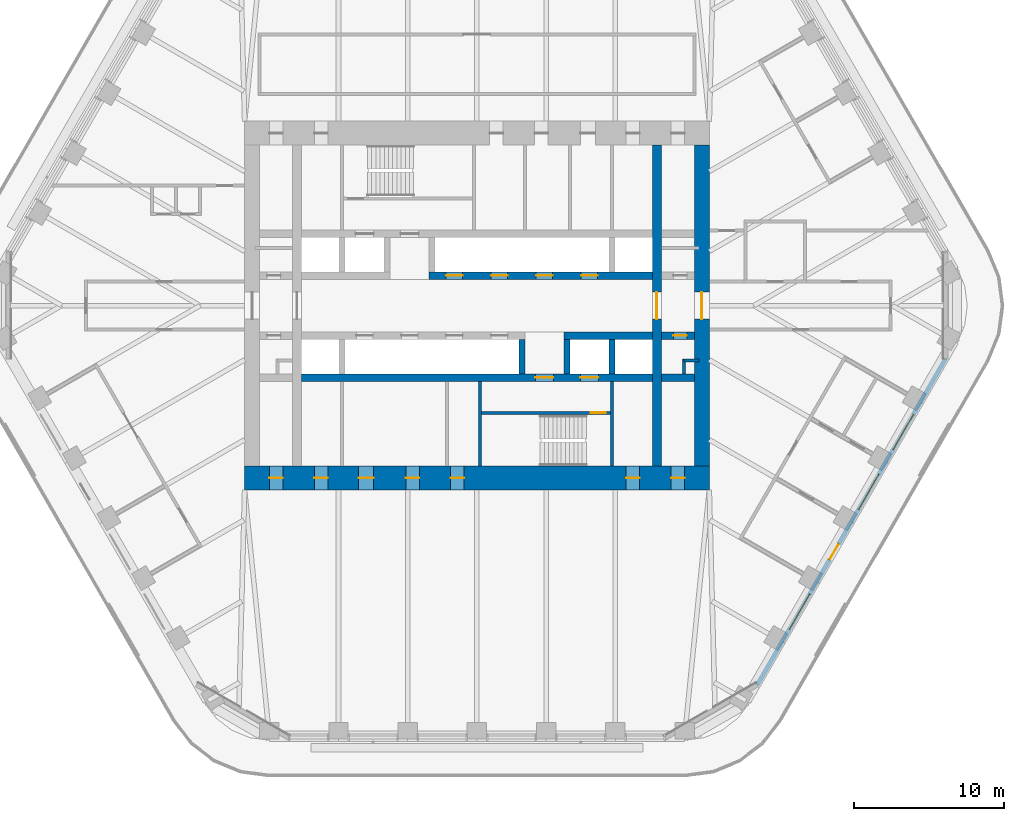
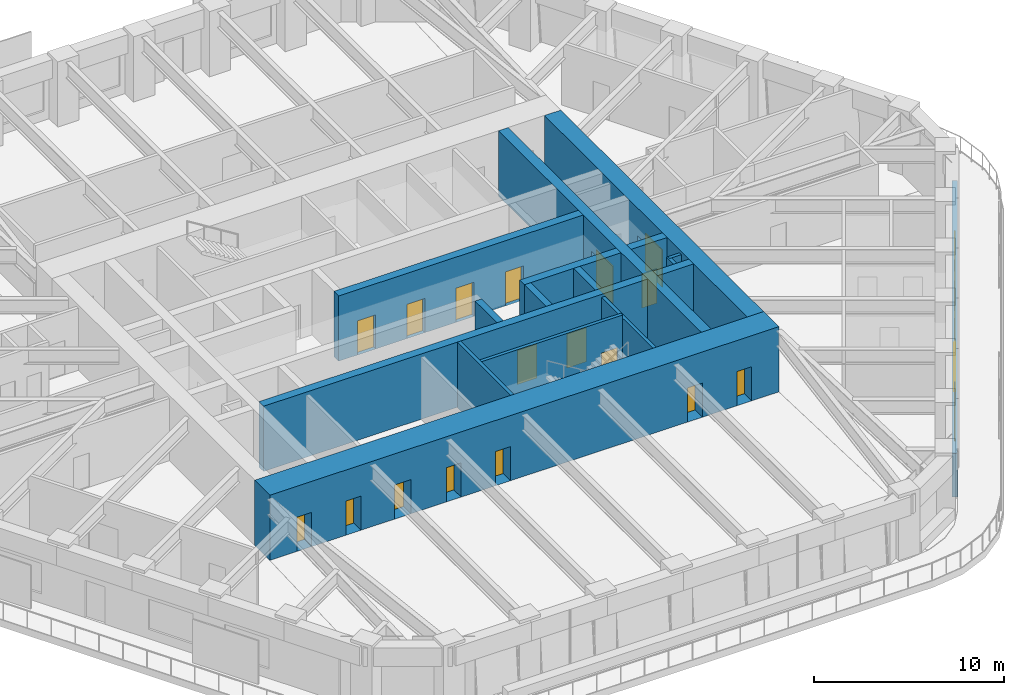
# One storey, part 15 of 20: 18 doors, 17 walls, 3 windows, 21 openings.
"""IFC4 building model written with IfcOpenShell, lengths in metres."""

from ifc_helpers import new_model, si_unit, direction, frame, frame_2d, origin, place, context, subcontext, project, spatial, rectangle, extrude, material, layer, layer_set, type_object, element, fill, save


model = new_model("IFC4")

# Units and contexts
model_context = context("Model", 3, precision=1e-05, world=origin(), true_north=direction((0.0, 1.0)))
body_context = subcontext(model_context, "Body", "Model", "MODEL_VIEW")
ifc_project = project(units=[si_unit("LENGTHUNIT", "METRE"), si_unit("AREAUNIT", "SQUARE_METRE"), si_unit("VOLUMEUNIT", "CUBIC_METRE"), si_unit("PLANEANGLEUNIT", "RADIAN"), si_unit("MASSUNIT", "GRAM", prefix="KILO")], contexts=[model_context])

# Site, building, storey
site_placement = place(None, origin())
site = spatial("IfcSite", under=ifc_project, at=site_placement, CompositionType="ELEMENT")
building_placement = place(site_placement, origin())
building = spatial("IfcBuilding", under=site, at=building_placement, Name="Tarfa Lantern Tower", CompositionType="ELEMENT")
storey_placement = place(building_placement, frame((0.0, 0.0, 244.89990234375)))
storey = spatial("IfcBuildingStorey", under=building, at=storey_placement, Name="L55", CompositionType="ELEMENT", Elevation=244.89990234375)

# Wall, openings, door, windows
ifc_material_1 = material(Name="Limestone cladding on blockwork", Category="masonry")
ifc_layer_1 = layer(ifc_material_1, 0.300048828125)
ifc_layer_set_1 = layer_set([ifc_layer_1], Name="EW1 STONE-CLAD WALL 300")
wall_type_1 = type_object("IfcWallType", Name="EW1 STONE-CLAD WALL 300", PredefinedType="SOLIDWALL", material=ifc_layer_set_1)
wall_1_placement = place(storey_placement, frame((18.70654296875, -25.299072265625, 0.0), z_axis=(0.0, 0.0, 1.0), x_axis=(0.500000442367, 0.866025148383, 0.0)))
wall_1 = element("IfcWall", 1, at=wall_1_placement, inside=storey, type_object=wall_type_1, Name="Stone wall SE", PredefinedType="SOLIDWALL", context=body_context, shape_type="SweptSolid", body=[
    extrude(rectangle(XDim=25.11279296875, YDim=0.300048828125, at=frame_2d((12.556396484375, 0.0))), origin(), (0.0, 0.0, 1.0), 2.800048828125),
])
opening_1_placement = place(wall_1_placement, frame((4.2783203125, 0.0, 0.60009765625)))
opening_1 = element("IfcOpeningElement", 2, at=opening_1_placement, cuts=wall_1, Name="Opening W14", PredefinedType="OPENING", context=body_context, shape_type="SweptSolid", body=[
    extrude(rectangle(XDim=2.699951171875, YDim=1.949951171875, at=frame_2d((1.35009765625, 0.97509765625))), frame((0.0, 0.159912109375, 0.0), z_axis=(0.0, -1.0, 0.0), x_axis=(1.0, 0.0, 0.0)), (0.0, 0.0, 1.0), 0.320068359375),
])
opening_2_placement = place(wall_1_placement, frame((9.64697265625, 0.0, 0.0)))
opening_2 = element("IfcOpeningElement", 3, at=opening_2_placement, cuts=wall_1, Name="Opening D48", PredefinedType="OPENING", context=body_context, shape_type="SweptSolid", body=[
    extrude(rectangle(XDim=1.199951171875, YDim=2.39990234375, at=frame_2d((0.60009765625, 1.199951171875))), frame((0.0, 0.159912109375, 0.0), z_axis=(0.0, -1.0, 0.0), x_axis=(1.0, 0.0, 0.0)), (0.0, 0.0, 1.0), 0.320068359375),
])
opening_3_placement = place(wall_1_placement, frame((13.515869140625, 0.0, 0.60009765625)))
opening_3 = element("IfcOpeningElement", 4, at=opening_3_placement, cuts=wall_1, Name="Opening W14", PredefinedType="OPENING", context=body_context, shape_type="SweptSolid", body=[
    extrude(rectangle(XDim=2.699951171875, YDim=1.949951171875, at=frame_2d((1.35009765625, 0.97509765625))), frame((0.0, 0.159912109375, 0.0), z_axis=(0.0, -1.0, 0.0), x_axis=(1.0, 0.0, 0.0)), (0.0, 0.0, 1.0), 0.320068359375),
])
opening_4_placement = place(wall_1_placement, frame((18.134521484375, 0.0, 0.60009765625)))
opening_4 = element("IfcOpeningElement", 5, at=opening_4_placement, cuts=wall_1, Name="Opening W14", PredefinedType="OPENING", context=body_context, shape_type="SweptSolid", body=[
    extrude(rectangle(XDim=2.699951171875, YDim=1.949951171875, at=frame_2d((1.35009765625, 0.97509765625))), frame((0.0, 0.159912109375, 0.0), z_axis=(0.0, -1.0, 0.0), x_axis=(1.0, 0.0, 0.0)), (0.0, 0.0, 1.0), 0.320068359375),
])
ifc_material_2 = material(Name="Aluminium framed glazed door", Category="aluminium")
door_type_1 = type_object("IfcDoorType", Name="BE3 BALCONY DOOR 1200x2400", OperationType="SINGLE_SWING_RIGHT", PredefinedType="DOOR", material=ifc_material_2)
door_1_placement = place(opening_2_placement, origin())
door_1 = element("IfcDoor", 6, at=door_1_placement, inside=storey, type_object=door_type_1, Name="Balcony door SE", OperationType="SINGLE_SWING_RIGHT", OverallHeight=2.39990234375, OverallWidth=1.199951171875, PredefinedType="DOOR", context=body_context, shape_type="SweptSolid", body=[
    extrude(rectangle(XDim=1.199951171875, YDim=2.39990234375, at=frame_2d((0.60009765625, 1.199951171875))), frame((0.0, 0.02490234375, 0.0), z_axis=(0.0, -1.0, 0.0), x_axis=(1.0, 0.0, 0.0)), (0.0, 0.0, 1.0), 0.050048828125),
])
fill(opening_2, door_1)
ifc_material_3 = material(Name="Aluminium frame, double glazed", Category="aluminium")
window_type = type_object("IfcWindowType", Name="W14 FULL-HEIGHT GLAZING 2700x1950", PartitioningType="SINGLE_PANEL", PredefinedType="WINDOW", material=ifc_material_3)
window_1_placement = place(opening_1_placement, origin())
window_1 = element("IfcWindow", 7, at=window_1_placement, inside=storey, type_object=window_type, Name="Window SE 2", OverallHeight=1.949951171875, OverallWidth=2.699951171875, PartitioningType="SINGLE_PANEL", PredefinedType="WINDOW", context=body_context, shape_type="SweptSolid", body=[
    extrude(rectangle(XDim=2.699951171875, YDim=1.949951171875, at=frame_2d((1.35009765625, 0.97509765625))), frame((0.0, 0.030029296875, 0.0), z_axis=(0.0, -1.0, 0.0), x_axis=(1.0, 0.0, 0.0)), (0.0, 0.0, 1.0), 0.06005859375),
])
fill(opening_1, window_1)
window_2_placement = place(opening_3_placement, origin())
window_2 = element("IfcWindow", 8, at=window_2_placement, inside=storey, type_object=window_type, Name="Window SE 4", OverallHeight=1.949951171875, OverallWidth=2.699951171875, PartitioningType="SINGLE_PANEL", PredefinedType="WINDOW", context=body_context, shape_type="SweptSolid", body=[
    extrude(rectangle(XDim=2.699951171875, YDim=1.949951171875, at=frame_2d((1.35009765625, 0.97509765625))), frame((0.0, 0.030029296875, 0.0), z_axis=(0.0, -1.0, 0.0), x_axis=(1.0, 0.0, 0.0)), (0.0, 0.0, 1.0), 0.06005859375),
])
fill(opening_3, window_2)
window_3_placement = place(opening_4_placement, origin())
window_3 = element("IfcWindow", 9, at=window_3_placement, inside=storey, type_object=window_type, Name="Window SE 5", OverallHeight=1.949951171875, OverallWidth=2.699951171875, PartitioningType="SINGLE_PANEL", PredefinedType="WINDOW", context=body_context, shape_type="SweptSolid", body=[
    extrude(rectangle(XDim=2.699951171875, YDim=1.949951171875, at=frame_2d((1.35009765625, 0.97509765625))), frame((0.0, 0.030029296875, 0.0), z_axis=(0.0, -1.0, 0.0), x_axis=(1.0, 0.0, 0.0)), (0.0, 0.0, 1.0), 0.06005859375),
])
fill(opening_4, window_3)

# Walls
ifc_material_4 = material(Name="Concrete blockwork", Category="masonry")
ifc_layer_2 = layer(ifc_material_4, 0.199951171875)
ifc_layer_set_2 = layer_set([ifc_layer_2], Name="IW1 BLOCKWORK PARTITION 200 EI 120")
wall_type_2 = type_object("IfcWallType", Name="IW1 BLOCKWORK PARTITION 200 EI 120", PredefinedType="PARTITIONING", material=ifc_layer_set_2)
wall_2_placement = place(storey_placement, frame((9.0, -5.050048828125, 0.0), z_axis=(0.0, 0.0, 1.0), x_axis=(0.0, -1.0, 0.0)))
element("IfcWall", 10, at=wall_2_placement, inside=storey, type_object=wall_type_2, Name="Core partition", PredefinedType="PARTITIONING", context=body_context, shape_type="SweptSolid", body=[
    extrude(rectangle(XDim=5.64990234375, YDim=0.199951171875, at=frame_2d((2.824951171875, 0.0))), origin(), (0.0, 0.0, 1.0), 4.0),
])
for number, where, z_axis, x_axis, name in (
    (11, (14.800048828125, -3.64990234375, 0.0), (0.0, 0.0, 1.0), (-1.0, 0.0, 0.0), "Core partition"),
    (12, (13.800048828125, -3.550048828125, 0.0), (0.0, 0.0, 1.0), (0.0, -1.0, 0.0), "Core partition"),
):
    element("IfcWall", number, at=place(storey_placement, frame(where, z_axis=z_axis, x_axis=x_axis)), inside=storey, type_object=wall_type_2, Name=name, PredefinedType="PARTITIONING", context=body_context, shape_type="SweptSolid", body=[
        extrude(rectangle(XDim=1.0, YDim=0.199951171875, at=frame_2d((0.5, 0.0))), origin(), (0.0, 0.0, 1.0), 4.0),
    ])
ifc_material_5 = material(Name="Concrete C80/95", Category="concrete")
ifc_layer_3 = layer(ifc_material_5, 0.199951171875)
ifc_layer_set_3 = layer_set([ifc_layer_3], Name="SW12 CORE WALL 200")
wall_type_3 = type_object("IfcWallType", Name="SW12 CORE WALL 200", PredefinedType="SHEAR", material=ifc_layer_set_3)
wall_3_placement = place(storey_placement, frame((0.199951171875, -5.050048828125, 0.0), z_axis=(0.0, 0.0, 1.0), x_axis=(0.0, -1.0, 0.0)))
element("IfcWall", 13, at=wall_3_placement, inside=storey, type_object=wall_type_3, Name="Core wall stair shaft S", PredefinedType="SHEAR", context=body_context, shape_type="SweptSolid", body=[
    extrude(rectangle(XDim=5.64990234375, YDim=0.199951171875, at=frame_2d((2.824951171875, 0.0))), origin(), (0.0, 0.0, 1.0), 4.2001953125),
])

# Wall, opening, door
wall_4_placement = place(storey_placement, frame((8.89990234375, -7.14990234375, 0.0), z_axis=(0.0, 0.0, 1.0), x_axis=(-1.0, 0.0, 0.0)))
wall_4 = element("IfcWall", 14, at=wall_4_placement, inside=storey, type_object=wall_type_3, Name="Core wall stair partition S", PredefinedType="SHEAR", context=body_context, shape_type="SweptSolid", body=[
    extrude(rectangle(XDim=8.599853515625, YDim=0.199951171875, at=frame_2d((4.2998046875, 0.0))), origin(), (0.0, 0.0, 1.0), 4.2001953125),
])
opening_5_placement = place(wall_4_placement, frame((0.300048828125, 0.0, 0.0)))
opening_5 = element("IfcOpeningElement", 15, at=opening_5_placement, cuts=wall_4, Name="Opening D24", PredefinedType="OPENING", context=body_context, shape_type="SweptSolid", body=[
    extrude(rectangle(XDim=1.0, YDim=2.199951171875, at=frame_2d((0.5, 1.10009765625))), frame((0.0, 0.10986328125, 0.0), z_axis=(0.0, -1.0, 0.0), x_axis=(1.0, 0.0, 0.0)), (0.0, 0.0, 1.0), 0.219970703125),
])
ifc_material_6 = material(Name="Steel fire door", Category="steel")
door_type_2 = type_object("IfcDoorType", Name="DF2 STAIR DOOR 1000x2200", OperationType="SINGLE_SWING_LEFT", PredefinedType="DOOR", material=ifc_material_6)
door_2_placement = place(opening_5_placement, origin())
door_2 = element("IfcDoor", 16, at=door_2_placement, inside=storey, type_object=door_type_2, Name="Stair door", OperationType="SINGLE_SWING_RIGHT", OverallHeight=2.199951171875, OverallWidth=1.0, PredefinedType="DOOR", context=body_context, shape_type="SweptSolid", body=[
    extrude(rectangle(XDim=1.0, YDim=2.199951171875, at=frame_2d((0.5, 1.10009765625))), frame((0.0, 0.02490234375, 0.0), z_axis=(0.0, -1.0, 0.0), x_axis=(1.0, 0.0, 0.0)), (0.0, 0.0, 1.0), 0.050048828125),
])
fill(opening_5, door_2)

ifc_layer_4 = layer(ifc_material_5, 1.0)
ifc_layer_set_4 = layer_set([ifc_layer_4], Name="SW2 CORE WALL 1000")
wall_type_4 = type_object("IfcWallType", Name="SW2 CORE WALL 1000", PredefinedType="SHEAR", material=ifc_layer_set_4)
wall_5_placement = place(storey_placement, frame((15.0, -10.699951171875, 0.0), z_axis=(0.0, 0.0, 1.0), x_axis=(0.0, 1.0, 0.0)))
wall_5 = element("IfcWall", 17, at=wall_5_placement, inside=storey, type_object=wall_type_4, Name="Core wall E", PredefinedType="SHEAR", context=body_context, shape_type="SweptSolid", body=[
    extrude(rectangle(XDim=21.39990234375, YDim=1.0, at=frame_2d((10.699951171875, 0.0))), origin(), (0.0, 0.0, 1.0), 4.2001953125),
])
opening_6_placement = place(wall_5_placement, frame((9.800048828125, 0.0, 0.0)))
opening_6 = element("IfcOpeningElement", 18, at=opening_6_placement, cuts=wall_5, Name="Opening D11", PredefinedType="OPENING", context=body_context, shape_type="SweptSolid", body=[
    extrude(rectangle(XDim=1.800048828125, YDim=2.39990234375, at=frame_2d((0.89990234375, 1.199951171875))), frame((0.0, 0.510009765625, 0.0), z_axis=(0.0, -1.0, 0.0), x_axis=(1.0, 0.0, 0.0)), (0.0, 0.0, 1.0), 1.02001953125),
])
door_type_3 = type_object("IfcDoorType", Name="DL1 LOBBY DOOR 1800x2400", OperationType="DOUBLE_DOOR_SINGLE_SWING", PredefinedType="DOOR", material=ifc_material_6)
door_3_placement = place(opening_6_placement, frame((1.800048828125, 0.0, 0.0), z_axis=(0.0, 0.0, 1.0), x_axis=(-1.0, 0.0, 0.0)))
door_3 = element("IfcDoor", 19, at=door_3_placement, inside=storey, type_object=door_type_3, Name="Lift lobby door", OperationType="DOUBLE_DOOR_SINGLE_SWING", OverallHeight=2.39990234375, OverallWidth=1.800048828125, PredefinedType="DOOR", context=body_context, shape_type="SweptSolid", body=[
    extrude(rectangle(XDim=1.800048828125, YDim=2.39990234375, at=frame_2d((0.89990234375, 1.199951171875))), frame((0.0, 0.02490234375, 0.0), z_axis=(0.0, -1.0, 0.0), x_axis=(1.0, 0.0, 0.0)), (0.0, 0.0, 1.0), 0.050048828125),
])
fill(opening_6, door_3)

# Wall, openings, doors
ifc_layer_5 = layer(ifc_material_5, 0.5)
ifc_layer_set_5 = layer_set([ifc_layer_5], Name="SW5 CORE WALL 500")
wall_type_5 = type_object("IfcWallType", Name="SW5 CORE WALL 500", PredefinedType="SHEAR", material=ifc_layer_set_5)
wall_6_placement = place(storey_placement, frame((-3.199951171875, 2.0, 0.0), z_axis=(0.0, 0.0, 1.0), x_axis=(1.0, 0.0, 0.0)))
wall_6 = element("IfcWall", 20, at=wall_6_placement, inside=storey, type_object=wall_type_5, Name="Core wall lobby east N", PredefinedType="SHEAR", context=body_context, shape_type="SweptSolid", body=[
    extrude(rectangle(XDim=14.89990234375, YDim=0.5, at=frame_2d((7.449951171875, 0.0))), origin(), (0.0, 0.0, 1.0), 4.2001953125),
])
opening_7_placement = place(wall_6_placement, frame((1.14990234375, 0.0, 0.0)))
opening_7 = element("IfcOpeningElement", 21, at=opening_7_placement, cuts=wall_6, Name="Opening LD03", PredefinedType="OPENING", context=body_context, shape_type="SweptSolid", body=[
    extrude(rectangle(XDim=1.10009765625, YDim=2.199951171875, at=frame_2d((0.550048828125, 1.10009765625))), frame((0.0, 0.260009765625, 0.0), z_axis=(0.0, -1.0, 0.0), x_axis=(1.0, 0.0, 0.0)), (0.0, 0.0, 1.0), 0.52001953125),
])
opening_8_placement = place(wall_6_placement, frame((4.14990234375, 0.0, 0.0)))
opening_8 = element("IfcOpeningElement", 22, at=opening_8_placement, cuts=wall_6, Name="Opening LD04", PredefinedType="OPENING", context=body_context, shape_type="SweptSolid", body=[
    extrude(rectangle(XDim=1.10009765625, YDim=2.199951171875, at=frame_2d((0.550048828125, 1.10009765625))), frame((0.0, 0.260009765625, 0.0), z_axis=(0.0, -1.0, 0.0), x_axis=(1.0, 0.0, 0.0)), (0.0, 0.0, 1.0), 0.52001953125),
])
opening_9_placement = place(wall_6_placement, frame((7.14990234375, 0.0, 0.0)))
opening_9 = element("IfcOpeningElement", 23, at=opening_9_placement, cuts=wall_6, Name="Opening LD05", PredefinedType="OPENING", context=body_context, shape_type="SweptSolid", body=[
    extrude(rectangle(XDim=1.10009765625, YDim=2.199951171875, at=frame_2d((0.550048828125, 1.10009765625))), frame((0.0, 0.260009765625, 0.0), z_axis=(0.0, -1.0, 0.0), x_axis=(1.0, 0.0, 0.0)), (0.0, 0.0, 1.0), 0.52001953125),
])
opening_10_placement = place(wall_6_placement, frame((10.14990234375, 0.0, 0.0)))
opening_10 = element("IfcOpeningElement", 24, at=opening_10_placement, cuts=wall_6, Name="Opening LD06", PredefinedType="OPENING", context=body_context, shape_type="SweptSolid", body=[
    extrude(rectangle(XDim=1.10009765625, YDim=2.199951171875, at=frame_2d((0.550048828125, 1.10009765625))), frame((0.0, 0.260009765625, 0.0), z_axis=(0.0, -1.0, 0.0), x_axis=(1.0, 0.0, 0.0)), (0.0, 0.0, 1.0), 0.52001953125),
])
ifc_material_7 = material(Name="Stainless steel lift door", Category="steel")
door_type_4 = type_object("IfcDoorType", Name="LD2 LIFT LANDING DOOR 1100x2200", OperationType="SLIDING_TO_LEFT", PredefinedType="DOOR", material=ifc_material_7)
door_4_placement = place(opening_7_placement, frame((1.10009765625, 0.0, 0.0), z_axis=(0.0, 0.0, 1.0), x_axis=(-1.0, 0.0, 0.0)))
door_4 = element("IfcDoor", 25, at=door_4_placement, inside=storey, type_object=door_type_4, Name="Landing door PC1", OperationType="SLIDING_TO_LEFT", OverallHeight=2.199951171875, OverallWidth=1.10009765625, PredefinedType="DOOR", context=body_context, shape_type="SweptSolid", body=[
    extrude(rectangle(XDim=1.10009765625, YDim=2.199951171875, at=frame_2d((0.550048828125, 1.10009765625))), frame((0.0, 0.02490234375, 0.0), z_axis=(0.0, -1.0, 0.0), x_axis=(1.0, 0.0, 0.0)), (0.0, 0.0, 1.0), 0.050048828125),
])
fill(opening_7, door_4)
door_5_placement = place(opening_8_placement, frame((1.10009765625, 0.0, 0.0), z_axis=(0.0, 0.0, 1.0), x_axis=(-1.0, 0.0, 0.0)))
door_5 = element("IfcDoor", 26, at=door_5_placement, inside=storey, type_object=door_type_4, Name="Landing door PC2", OperationType="SLIDING_TO_LEFT", OverallHeight=2.199951171875, OverallWidth=1.10009765625, PredefinedType="DOOR", context=body_context, shape_type="SweptSolid", body=[
    extrude(rectangle(XDim=1.10009765625, YDim=2.199951171875, at=frame_2d((0.550048828125, 1.10009765625))), frame((0.0, 0.02490234375, 0.0), z_axis=(0.0, -1.0, 0.0), x_axis=(1.0, 0.0, 0.0)), (0.0, 0.0, 1.0), 0.050048828125),
])
fill(opening_8, door_5)
door_6_placement = place(opening_9_placement, frame((1.10009765625, 0.0, 0.0), z_axis=(0.0, 0.0, 1.0), x_axis=(-1.0, 0.0, 0.0)))
door_6 = element("IfcDoor", 27, at=door_6_placement, inside=storey, type_object=door_type_4, Name="Landing door PC3", OperationType="SLIDING_TO_LEFT", OverallHeight=2.199951171875, OverallWidth=1.10009765625, PredefinedType="DOOR", context=body_context, shape_type="SweptSolid", body=[
    extrude(rectangle(XDim=1.10009765625, YDim=2.199951171875, at=frame_2d((0.550048828125, 1.10009765625))), frame((0.0, 0.02490234375, 0.0), z_axis=(0.0, -1.0, 0.0), x_axis=(1.0, 0.0, 0.0)), (0.0, 0.0, 1.0), 0.050048828125),
])
fill(opening_9, door_6)
door_7_placement = place(opening_10_placement, frame((1.10009765625, 0.0, 0.0), z_axis=(0.0, 0.0, 1.0), x_axis=(-1.0, 0.0, 0.0)))
door_7 = element("IfcDoor", 28, at=door_7_placement, inside=storey, type_object=door_type_4, Name="Landing door PC4", OperationType="SLIDING_TO_LEFT", OverallHeight=2.199951171875, OverallWidth=1.10009765625, PredefinedType="DOOR", context=body_context, shape_type="SweptSolid", body=[
    extrude(rectangle(XDim=1.10009765625, YDim=2.199951171875, at=frame_2d((0.550048828125, 1.10009765625))), frame((0.0, 0.02490234375, 0.0), z_axis=(0.0, -1.0, 0.0), x_axis=(1.0, 0.0, 0.0)), (0.0, 0.0, 1.0), 0.050048828125),
])
fill(opening_10, door_7)

# Wall, opening, door
wall_7_placement = place(storey_placement, frame((14.5, -2.0, 0.0), z_axis=(0.0, 0.0, 1.0), x_axis=(-1.0, 0.0, 0.0)))
wall_7 = element("IfcWall", 29, at=wall_7_placement, inside=storey, type_object=wall_type_5, Name="Core wall lobby west S", PredefinedType="SHEAR", context=body_context, shape_type="SweptSolid", body=[
    extrude(rectangle(XDim=2.199951171875, YDim=0.5, at=frame_2d((1.10009765625, 0.0))), origin(), (0.0, 0.0, 1.0), 4.2001953125),
])
opening_11_placement = place(wall_7_placement, frame((0.5, 0.0, 0.0)))
opening_11 = element("IfcOpeningElement", 30, at=opening_11_placement, cuts=wall_7, Name="Opening D16", PredefinedType="OPENING", context=body_context, shape_type="SweptSolid", body=[
    extrude(rectangle(XDim=0.89990234375, YDim=2.199951171875, at=frame_2d((0.449951171875, 1.10009765625))), frame((0.0, 0.260009765625, 0.0), z_axis=(0.0, -1.0, 0.0), x_axis=(1.0, 0.0, 0.0)), (0.0, 0.0, 1.0), 0.52001953125),
])
door_type_5 = type_object("IfcDoorType", Name="DF6 SERVICE ROOM DOOR 900x2200", OperationType="SINGLE_SWING_LEFT", PredefinedType="DOOR", material=ifc_material_6)
door_8_placement = place(opening_11_placement, origin())
door_8 = element("IfcDoor", 31, at=door_8_placement, inside=storey, type_object=door_type_5, Name="Service room door", OperationType="SINGLE_SWING_RIGHT", OverallHeight=2.199951171875, OverallWidth=0.89990234375, PredefinedType="DOOR", context=body_context, shape_type="SweptSolid", body=[
    extrude(rectangle(XDim=0.89990234375, YDim=2.199951171875, at=frame_2d((0.449951171875, 1.10009765625))), frame((0.0, 0.02490234375, 0.0), z_axis=(0.0, -1.0, 0.0), x_axis=(1.0, 0.0, 0.0)), (0.0, 0.0, 1.0), 0.050048828125),
])
fill(opening_11, door_8)

# Walls
wall_8_placement = place(storey_placement, frame((11.699951171875, -2.0, 0.0), z_axis=(0.0, 0.0, 1.0), x_axis=(-1.0, 0.0, 0.0)))
element("IfcWall", 32, at=wall_8_placement, inside=storey, type_object=wall_type_5, Name="Core wall lobby west S", PredefinedType="SHEAR", context=body_context, shape_type="SweptSolid", body=[
    extrude(rectangle(XDim=5.89990234375, YDim=0.5, at=frame_2d((2.949951171875, 0.0))), origin(), (0.0, 0.0, 1.0), 4.2001953125),
])
wall_9_placement = place(storey_placement, frame((14.5, -4.800048828125, 0.0), z_axis=(0.0, 0.0, 1.0), x_axis=(-1.0, 0.0, 0.0)))
element("IfcWall", 33, at=wall_9_placement, inside=storey, type_object=wall_type_5, Name="Core wall rear S", PredefinedType="SHEAR", context=body_context, shape_type="SweptSolid", body=[
    extrude(rectangle(XDim=2.199951171875, YDim=0.5, at=frame_2d((1.10009765625, 0.0))), origin(), (0.0, 0.0, 1.0), 4.2001953125),
])

# Wall, openings, doors
wall_10_placement = place(storey_placement, frame((11.699951171875, -4.800048828125, 0.0), z_axis=(0.0, 0.0, 1.0), x_axis=(-1.0, 0.0, 0.0)))
wall_10 = element("IfcWall", 34, at=wall_10_placement, inside=storey, type_object=wall_type_5, Name="Core wall rear S", PredefinedType="SHEAR", context=body_context, shape_type="SweptSolid", body=[
    extrude(rectangle(XDim=23.39990234375, YDim=0.5, at=frame_2d((11.699951171875, 0.0))), origin(), (0.0, 0.0, 1.0), 4.2001953125),
])
opening_12_placement = place(wall_10_placement, frame((6.60009765625, 0.0, 0.0)))
opening_12 = element("IfcOpeningElement", 35, at=opening_12_placement, cuts=wall_10, Name="Opening D10", PredefinedType="OPENING", context=body_context, shape_type="SweptSolid", body=[
    extrude(rectangle(XDim=1.199951171875, YDim=2.199951171875, at=frame_2d((0.60009765625, 1.10009765625))), frame((0.0, 0.260009765625, 0.0), z_axis=(0.0, -1.0, 0.0), x_axis=(1.0, 0.0, 0.0)), (0.0, 0.0, 1.0), 0.52001953125),
])
opening_13_placement = place(wall_10_placement, frame((3.60009765625, 0.0, 0.0)))
opening_13 = element("IfcOpeningElement", 36, at=opening_13_placement, cuts=wall_10, Name="Opening LD02", PredefinedType="OPENING", context=body_context, shape_type="SweptSolid", body=[
    extrude(rectangle(XDim=1.199951171875, YDim=2.199951171875, at=frame_2d((0.60009765625, 1.10009765625))), frame((0.0, 0.260009765625, 0.0), z_axis=(0.0, -1.0, 0.0), x_axis=(1.0, 0.0, 0.0)), (0.0, 0.0, 1.0), 0.52001953125),
])
door_type_6 = type_object("IfcDoorType", Name="DF1 FIREFIGHTING LOBBY DOOR 1200x2200", OperationType="SINGLE_SWING_LEFT", PredefinedType="DOOR", material=ifc_material_6)
door_9_placement = place(opening_12_placement, origin())
door_9 = element("IfcDoor", 37, at=door_9_placement, inside=storey, type_object=door_type_6, Name="Firefighting lobby door", OperationType="SINGLE_SWING_LEFT", OverallHeight=2.199951171875, OverallWidth=1.199951171875, PredefinedType="DOOR", context=body_context, shape_type="SweptSolid", body=[
    extrude(rectangle(XDim=1.199951171875, YDim=2.199951171875, at=frame_2d((0.60009765625, 1.10009765625))), frame((0.0, 0.02490234375, 0.0), z_axis=(0.0, -1.0, 0.0), x_axis=(1.0, 0.0, 0.0)), (0.0, 0.0, 1.0), 0.050048828125),
])
fill(opening_12, door_9)
door_type_7 = type_object("IfcDoorType", Name="LD1 LIFT LANDING DOOR 1200x2200", OperationType="SLIDING_TO_LEFT", PredefinedType="DOOR", material=ifc_material_7)
door_10_placement = place(opening_13_placement, origin())
door_10 = element("IfcDoor", 38, at=door_10_placement, inside=storey, type_object=door_type_7, Name="Landing door FL2", OperationType="SLIDING_TO_LEFT", OverallHeight=2.199951171875, OverallWidth=1.199951171875, PredefinedType="DOOR", context=body_context, shape_type="SweptSolid", body=[
    extrude(rectangle(XDim=1.199951171875, YDim=2.199951171875, at=frame_2d((0.60009765625, 1.10009765625))), frame((0.0, 0.02490234375, 0.0), z_axis=(0.0, -1.0, 0.0), x_axis=(1.0, 0.0, 0.0)), (0.0, 0.0, 1.0), 0.050048828125),
])
fill(opening_13, door_10)

# Walls
ifc_layer_6 = layer(ifc_material_5, 0.39990234375)
ifc_layer_set_6 = layer_set([ifc_layer_6], Name="SW6 CORE WALL 400")
wall_type_6 = type_object("IfcWallType", Name="SW6 CORE WALL 400", PredefinedType="SHEAR", material=ifc_layer_set_6)
for number, where, z_axis, x_axis, name in (
    (39, (9.0, -2.25, 0.0), (0.0, 0.0, 1.0), (0.0, -1.0, 0.0), "Core wall divider S"),
    (40, (6.0, -2.25, 0.0), (0.0, 0.0, 1.0), (0.0, -1.0, 0.0), "Core wall divider S"),
    (41, (3.0, -2.25, 0.0), (0.0, 0.0, 1.0), (0.0, -1.0, 0.0), "Core wall divider S"),
):
    element("IfcWall", number, at=place(storey_placement, frame(where, z_axis=z_axis, x_axis=x_axis)), inside=storey, type_object=wall_type_6, Name=name, PredefinedType="SHEAR", context=body_context, shape_type="SweptSolid", body=[
        extrude(rectangle(XDim=2.300048828125, YDim=0.39990234375, at=frame_2d((1.14990234375, 0.0))), origin(), (0.0, 0.0, 1.0), 4.2001953125),
    ])

# Wall, openings, doors
ifc_layer_7 = layer(ifc_material_5, 1.60009765625)
ifc_layer_set_7 = layer_set([ifc_layer_7], Name="SW7 CORE WALL 1600")
wall_type_7 = type_object("IfcWallType", Name="SW7 CORE WALL 1600", PredefinedType="SHEAR", material=ifc_layer_set_7)
wall_11_placement = place(storey_placement, frame((15.5, -11.5, 0.0), z_axis=(0.0, 0.0, 1.0), x_axis=(-1.0, 0.0, 0.0)))
wall_11 = element("IfcWall", 42, at=wall_11_placement, inside=storey, type_object=wall_type_7, Name="Core wall S", PredefinedType="SHEAR", context=body_context, shape_type="SweptSolid", body=[
    extrude(rectangle(XDim=31.0, YDim=1.60009765625, at=frame_2d((15.5, 0.0))), origin(), (0.0, 0.0, 1.0), 4.2001953125),
])
opening_14_placement = place(wall_11_placement, frame((16.35009765625, 0.0, 0.0)))
opening_14 = element("IfcOpeningElement", 43, at=opening_14_placement, cuts=wall_11, Name="Opening D18", PredefinedType="OPENING", context=body_context, shape_type="SweptSolid", body=[
    extrude(rectangle(XDim=0.89990234375, YDim=2.199951171875, at=frame_2d((0.449951171875, 1.10009765625))), frame((0.0, 0.81005859375, 0.0), z_axis=(0.0, -1.0, 0.0), x_axis=(1.0, 0.0, 0.0)), (0.0, 0.0, 1.0), 1.6201171875),
])
opening_15_placement = place(wall_11_placement, frame((19.35009765625, 0.0, 0.0)))
opening_15 = element("IfcOpeningElement", 44, at=opening_15_placement, cuts=wall_11, Name="Opening D20", PredefinedType="OPENING", context=body_context, shape_type="SweptSolid", body=[
    extrude(rectangle(XDim=0.89990234375, YDim=2.199951171875, at=frame_2d((0.449951171875, 1.10009765625))), frame((0.0, 0.81005859375, 0.0), z_axis=(0.0, -1.0, 0.0), x_axis=(1.0, 0.0, 0.0)), (0.0, 0.0, 1.0), 1.6201171875),
])
opening_16_placement = place(wall_11_placement, frame((22.39990234375, 0.0, 0.0)))
opening_16 = element("IfcOpeningElement", 45, at=opening_16_placement, cuts=wall_11, Name="Opening D22", PredefinedType="OPENING", context=body_context, shape_type="SweptSolid", body=[
    extrude(rectangle(XDim=1.0, YDim=2.199951171875, at=frame_2d((0.5, 1.10009765625))), frame((0.0, 0.81005859375, 0.0), z_axis=(0.0, -1.0, 0.0), x_axis=(1.0, 0.0, 0.0)), (0.0, 0.0, 1.0), 1.6201171875),
])
opening_17_placement = place(wall_11_placement, frame((1.64990234375, 0.0, 0.0)))
opening_17 = element("IfcOpeningElement", 46, at=opening_17_placement, cuts=wall_11, Name="Opening D08", PredefinedType="OPENING", context=body_context, shape_type="SweptSolid", body=[
    extrude(rectangle(XDim=0.89990234375, YDim=2.199951171875, at=frame_2d((0.449951171875, 1.10009765625))), frame((0.0, 0.81005859375, 0.0), z_axis=(0.0, -1.0, 0.0), x_axis=(1.0, 0.0, 0.0)), (0.0, 0.0, 1.0), 1.6201171875),
])
opening_18_placement = place(wall_11_placement, frame((4.64990234375, 0.0, 0.0)))
opening_18 = element("IfcOpeningElement", 47, at=opening_18_placement, cuts=wall_11, Name="Opening D06", PredefinedType="OPENING", context=body_context, shape_type="SweptSolid", body=[
    extrude(rectangle(XDim=0.89990234375, YDim=2.199951171875, at=frame_2d((0.449951171875, 1.10009765625))), frame((0.0, 0.81005859375, 0.0), z_axis=(0.0, -1.0, 0.0), x_axis=(1.0, 0.0, 0.0)), (0.0, 0.0, 1.0), 1.6201171875),
])
opening_19_placement = place(wall_11_placement, frame((25.449951171875, 0.0, 0.0)))
opening_19 = element("IfcOpeningElement", 48, at=opening_19_placement, cuts=wall_11, Name="Opening D04", PredefinedType="OPENING", context=body_context, shape_type="SweptSolid", body=[
    extrude(rectangle(XDim=0.89990234375, YDim=2.199951171875, at=frame_2d((0.449951171875, 1.10009765625))), frame((0.0, 0.81005859375, 0.0), z_axis=(0.0, -1.0, 0.0), x_axis=(1.0, 0.0, 0.0)), (0.0, 0.0, 1.0), 1.6201171875),
])
opening_20_placement = place(wall_11_placement, frame((28.449951171875, 0.0, 0.0)))
opening_20 = element("IfcOpeningElement", 49, at=opening_20_placement, cuts=wall_11, Name="Opening D02", PredefinedType="OPENING", context=body_context, shape_type="SweptSolid", body=[
    extrude(rectangle(XDim=0.89990234375, YDim=2.199951171875, at=frame_2d((0.449951171875, 1.10009765625))), frame((0.0, 0.81005859375, 0.0), z_axis=(0.0, -1.0, 0.0), x_axis=(1.0, 0.0, 0.0)), (0.0, 0.0, 1.0), 1.6201171875),
])
door_type_8 = type_object("IfcDoorType", Name="DF3 CORE ROOM DOOR 900x2200", OperationType="SINGLE_SWING_LEFT", PredefinedType="DOOR", material=ifc_material_6)
door_11_placement = place(opening_14_placement, frame((0.89990234375, 0.0, 0.0), z_axis=(0.0, 0.0, 1.0), x_axis=(-1.0, 0.0, 0.0)))
door_11 = element("IfcDoor", 50, at=door_11_placement, inside=storey, type_object=door_type_8, Name="Core door", OperationType="SINGLE_SWING_RIGHT", OverallHeight=2.199951171875, OverallWidth=0.89990234375, PredefinedType="DOOR", context=body_context, shape_type="SweptSolid", body=[
    extrude(rectangle(XDim=0.89990234375, YDim=2.199951171875, at=frame_2d((0.449951171875, 1.10009765625))), frame((0.0, 0.02490234375, 0.0), z_axis=(0.0, -1.0, 0.0), x_axis=(1.0, 0.0, 0.0)), (0.0, 0.0, 1.0), 0.050048828125),
])
fill(opening_14, door_11)
door_12_placement = place(opening_15_placement, frame((0.89990234375, 0.0, 0.0), z_axis=(0.0, 0.0, 1.0), x_axis=(-1.0, 0.0, 0.0)))
door_12 = element("IfcDoor", 51, at=door_12_placement, inside=storey, type_object=door_type_8, Name="Core door", OperationType="SINGLE_SWING_LEFT", OverallHeight=2.199951171875, OverallWidth=0.89990234375, PredefinedType="DOOR", context=body_context, shape_type="SweptSolid", body=[
    extrude(rectangle(XDim=0.89990234375, YDim=2.199951171875, at=frame_2d((0.449951171875, 1.10009765625))), frame((0.0, 0.02490234375, 0.0), z_axis=(0.0, -1.0, 0.0), x_axis=(1.0, 0.0, 0.0)), (0.0, 0.0, 1.0), 0.050048828125),
])
fill(opening_15, door_12)
door_type_9 = type_object("IfcDoorType", Name="DF4 CORE ROOM DOOR 1000x2200", OperationType="SINGLE_SWING_LEFT", PredefinedType="DOOR", material=ifc_material_6)
door_13_placement = place(opening_16_placement, frame((1.0, 0.0, 0.0), z_axis=(0.0, 0.0, 1.0), x_axis=(-1.0, 0.0, 0.0)))
door_13 = element("IfcDoor", 52, at=door_13_placement, inside=storey, type_object=door_type_9, Name="Core door", OperationType="SINGLE_SWING_RIGHT", OverallHeight=2.199951171875, OverallWidth=1.0, PredefinedType="DOOR", context=body_context, shape_type="SweptSolid", body=[
    extrude(rectangle(XDim=1.0, YDim=2.199951171875, at=frame_2d((0.5, 1.10009765625))), frame((0.0, 0.02490234375, 0.0), z_axis=(0.0, -1.0, 0.0), x_axis=(1.0, 0.0, 0.0)), (0.0, 0.0, 1.0), 0.050048828125),
])
fill(opening_16, door_13)
door_type_10 = type_object("IfcDoorType", Name="DF5 RISER DOOR 900x2200", OperationType="SINGLE_SWING_LEFT", PredefinedType="DOOR", material=ifc_material_6)
door_14_placement = place(opening_17_placement, frame((0.89990234375, 0.0, 0.0), z_axis=(0.0, 0.0, 1.0), x_axis=(-1.0, 0.0, 0.0)))
door_14 = element("IfcDoor", 53, at=door_14_placement, inside=storey, type_object=door_type_10, Name="Riser door", OperationType="SINGLE_SWING_LEFT", OverallHeight=2.199951171875, OverallWidth=0.89990234375, PredefinedType="DOOR", context=body_context, shape_type="SweptSolid", body=[
    extrude(rectangle(XDim=0.89990234375, YDim=2.199951171875, at=frame_2d((0.449951171875, 1.10009765625))), frame((0.0, 0.02490234375, 0.0), z_axis=(0.0, -1.0, 0.0), x_axis=(1.0, 0.0, 0.0)), (0.0, 0.0, 1.0), 0.050048828125),
])
fill(opening_17, door_14)
door_15_placement = place(opening_18_placement, frame((0.89990234375, 0.0, 0.0), z_axis=(0.0, 0.0, 1.0), x_axis=(-1.0, 0.0, 0.0)))
door_15 = element("IfcDoor", 54, at=door_15_placement, inside=storey, type_object=door_type_10, Name="Riser door", OperationType="SINGLE_SWING_LEFT", OverallHeight=2.199951171875, OverallWidth=0.89990234375, PredefinedType="DOOR", context=body_context, shape_type="SweptSolid", body=[
    extrude(rectangle(XDim=0.89990234375, YDim=2.199951171875, at=frame_2d((0.449951171875, 1.10009765625))), frame((0.0, 0.02490234375, 0.0), z_axis=(0.0, -1.0, 0.0), x_axis=(1.0, 0.0, 0.0)), (0.0, 0.0, 1.0), 0.050048828125),
])
fill(opening_18, door_15)
door_16_placement = place(opening_19_placement, frame((0.89990234375, 0.0, 0.0), z_axis=(0.0, 0.0, 1.0), x_axis=(-1.0, 0.0, 0.0)))
door_16 = element("IfcDoor", 55, at=door_16_placement, inside=storey, type_object=door_type_10, Name="Riser door", OperationType="SINGLE_SWING_RIGHT", OverallHeight=2.199951171875, OverallWidth=0.89990234375, PredefinedType="DOOR", context=body_context, shape_type="SweptSolid", body=[
    extrude(rectangle(XDim=0.89990234375, YDim=2.199951171875, at=frame_2d((0.449951171875, 1.10009765625))), frame((0.0, 0.02490234375, 0.0), z_axis=(0.0, -1.0, 0.0), x_axis=(1.0, 0.0, 0.0)), (0.0, 0.0, 1.0), 0.050048828125),
])
fill(opening_19, door_16)
door_17_placement = place(opening_20_placement, frame((0.89990234375, 0.0, 0.0), z_axis=(0.0, 0.0, 1.0), x_axis=(-1.0, 0.0, 0.0)))
door_17 = element("IfcDoor", 56, at=door_17_placement, inside=storey, type_object=door_type_10, Name="Riser door", OperationType="SINGLE_SWING_RIGHT", OverallHeight=2.199951171875, OverallWidth=0.89990234375, PredefinedType="DOOR", context=body_context, shape_type="SweptSolid", body=[
    extrude(rectangle(XDim=0.89990234375, YDim=2.199951171875, at=frame_2d((0.449951171875, 1.10009765625))), frame((0.0, 0.02490234375, 0.0), z_axis=(0.0, -1.0, 0.0), x_axis=(1.0, 0.0, 0.0)), (0.0, 0.0, 1.0), 0.050048828125),
])
fill(opening_20, door_17)

# Wall, opening, door
ifc_layer_8 = layer(ifc_material_5, 0.60009765625)
ifc_layer_set_8 = layer_set([ifc_layer_8], Name="SW9 CORE WALL 600")
wall_type_8 = type_object("IfcWallType", Name="SW9 CORE WALL 600", PredefinedType="SHEAR", material=ifc_layer_set_8)
wall_12_placement = place(storey_placement, frame((12.0, -10.699951171875, 0.0), z_axis=(0.0, 0.0, 1.0), x_axis=(0.0, 1.0, 0.0)))
wall_12 = element("IfcWall", 57, at=wall_12_placement, inside=storey, type_object=wall_type_8, Name="Core wall cross 12 m east", PredefinedType="SHEAR", context=body_context, shape_type="SweptSolid", body=[
    extrude(rectangle(XDim=21.39990234375, YDim=0.60009765625, at=frame_2d((10.699951171875, 0.0))), origin(), (0.0, 0.0, 1.0), 4.2001953125),
])
opening_21_placement = place(wall_12_placement, frame((9.800048828125, 0.0, 0.0)))
opening_21 = element("IfcOpeningElement", 58, at=opening_21_placement, cuts=wall_12, Name="Opening D25", PredefinedType="OPENING", context=body_context, shape_type="SweptSolid", body=[
    extrude(rectangle(XDim=1.800048828125, YDim=2.39990234375, at=frame_2d((0.89990234375, 1.199951171875))), frame((0.0, 0.31005859375, 0.0), z_axis=(0.0, -1.0, 0.0), x_axis=(1.0, 0.0, 0.0)), (0.0, 0.0, 1.0), 0.6201171875),
])
door_18_placement = place(opening_21_placement, origin())
door_18 = element("IfcDoor", 59, at=door_18_placement, inside=storey, type_object=door_type_3, Name="Lift lobby door", OperationType="DOUBLE_DOOR_SINGLE_SWING", OverallHeight=2.39990234375, OverallWidth=1.800048828125, PredefinedType="DOOR", context=body_context, shape_type="SweptSolid", body=[
    extrude(rectangle(XDim=1.800048828125, YDim=2.39990234375, at=frame_2d((0.89990234375, 1.199951171875))), frame((0.0, 0.02490234375, 0.0), z_axis=(0.0, -1.0, 0.0), x_axis=(1.0, 0.0, 0.0)), (0.0, 0.0, 1.0), 0.050048828125),
])
fill(opening_21, door_18)

save(model, "model.ifc")
